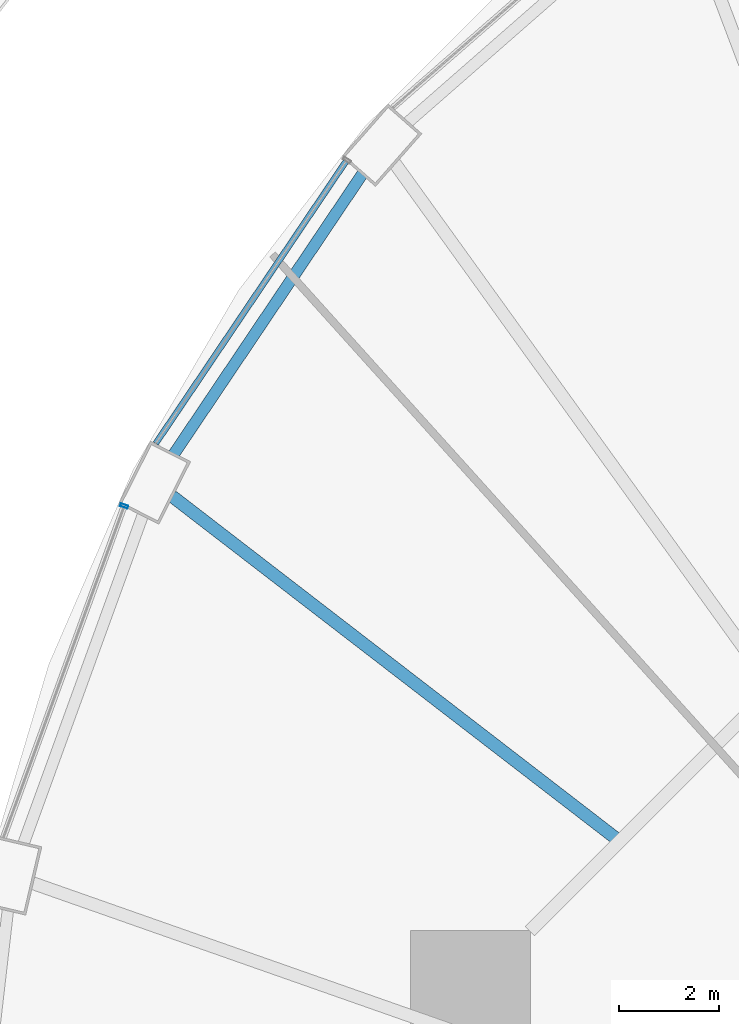
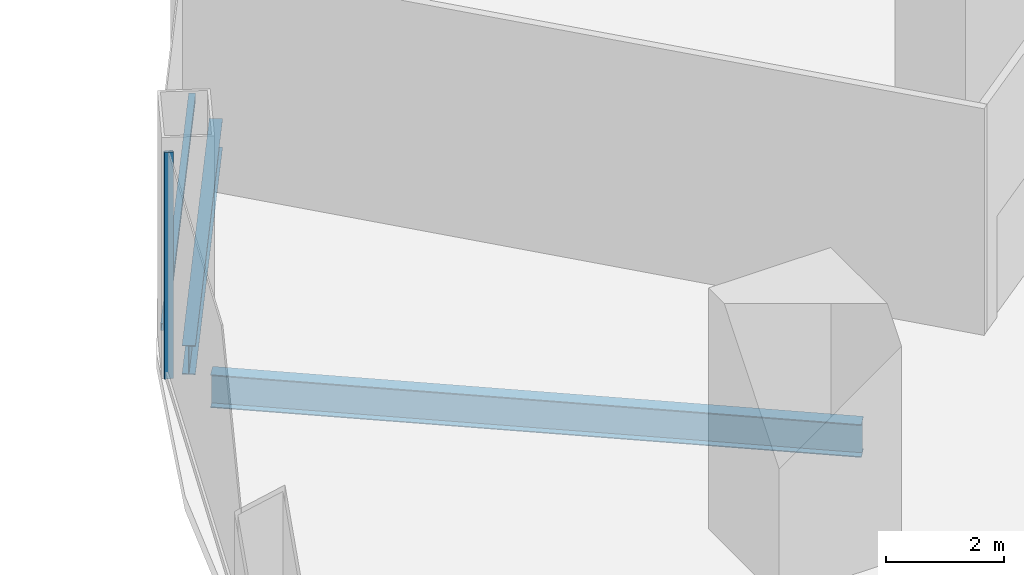
# One storey, part 21 of 47: 2 beams, 2 members, 2 elements without a shape of their own.
"""IFC4 building model written with IfcOpenShell, lengths in metres."""

from ifc_helpers import new_model, si_unit, direction, frame, origin, origin_2d, place, context, subcontext, project, spatial, hollow_rectangle, i_section, extrude, material, layer, layer_set, material_profile, profile_set, type_object, element, aggregate, save


model = new_model("IFC4")

# Units and contexts
model_context = context("Model", 3, precision=1e-05, world=origin(), true_north=direction((0.0, 1.0)))
body_context = subcontext(model_context, "Body", "Model", "MODEL_VIEW")
ifc_project = project(units=[si_unit("LENGTHUNIT", "METRE"), si_unit("AREAUNIT", "SQUARE_METRE"), si_unit("VOLUMEUNIT", "CUBIC_METRE"), si_unit("PLANEANGLEUNIT", "RADIAN"), si_unit("MASSUNIT", "GRAM", prefix="KILO")], contexts=[model_context])

# Site, building, storey
site_placement = place(None, origin())
site = spatial("IfcSite", under=ifc_project, at=site_placement, CompositionType="ELEMENT")
building_placement = place(site_placement, origin())
building = spatial("IfcBuilding", under=site, at=building_placement, Name="Nagisa Residences", CompositionType="ELEMENT")
storey_placement = place(building_placement, frame((0.0, 0.0, 17.0)))
storey = spatial("IfcBuildingStorey", under=building, at=storey_placement, Name="L03", CompositionType="ELEMENT", Elevation=17.0)

# Curtain wall, member
ifc_material_1 = material(Name="Stainless steel curtain wall system", Category="steel")
ifc_layer = layer(ifc_material_1, 0.159912109375)
ifc_layer_set = layer_set([ifc_layer], Name="CW6 CURTAIN WALL")
curtain_wall_type = type_object("IfcCurtainWallType", Name="CW6 CURTAIN WALL", PredefinedType="NOTDEFINED", material=ifc_layer_set)
curtain_wall_1_placement = place(storey_placement, origin())
curtain_wall_1 = element("IfcCurtainWall", 1, at=curtain_wall_1_placement, inside=storey, type_object=curtain_wall_type, Name="cw:CW6:L03:20", PredefinedType="NOTDEFINED")
ifc_material_2 = material(Name="Stainless steel", Category="steel")
ifc_material_profile_1 = material_profile(ifc_material_2, hollow_rectangle(XDim=0.159912109375, YDim=0.06005859375, WallThickness=0.006103515625, at=origin_2d()), Name="CW6 MULLION 160x60")
ifc_profile_set_1 = profile_set([ifc_material_profile_1], Name="Stainless steel")
member_type_1 = type_object("IfcMemberType", Name="CW6 MULLION 160x60", PredefinedType="MULLION", material=ifc_profile_set_1)
member_1_placement = place(storey_placement, frame((-21.689208984375, 15.78662109375, 0.0), z_axis=(0.0, 0.0, 1.0), x_axis=(0.939681861718, -0.342049702176, 0.0)))
member_1 = element("IfcMember", 2, at=member_1_placement, type_object=member_type_1, Name="CW6 mullion", PredefinedType="MULLION", context=body_context, shape_type="SweptSolid", body=[
    extrude(hollow_rectangle(XDim=0.159912109375, YDim=0.06005859375, WallThickness=0.006103515625, at=origin_2d()), origin(), (0.0, 0.0, 1.0), 4.699951171875),
])
aggregate(curtain_wall_1, [member_1])

curtain_wall_2_placement = place(storey_placement, origin())
curtain_wall_2 = element("IfcCurtainWall", 3, at=curtain_wall_2_placement, inside=storey, type_object=curtain_wall_type, Name="cw:CW6:L03:18", PredefinedType="NOTDEFINED")
ifc_material_3 = material(Name="Stainless steel", Category="steel")
ifc_material_profile_2 = material_profile(ifc_material_3, hollow_rectangle(XDim=0.1201171875, YDim=0.14990234375, WallThickness=0.008056640625, at=origin_2d()), Name="CW6 TRANSOM 120x150")
ifc_profile_set_2 = profile_set([ifc_material_profile_2], Name="Stainless steel")
member_type_2 = type_object("IfcMemberType", Name="CW6 TRANSOM 120x150", PredefinedType="USERDEFINED", material=ifc_profile_set_2)
member_2_placement = place(storey_placement, frame((-17.231201171875, 22.70947265625, 0.074951171875), z_axis=(-0.559080645991, -0.829113280124, 0.0), x_axis=(0.829113280124, -0.559080645991, 0.0)))
member_2 = element("IfcMember", 4, at=member_2_placement, type_object=member_type_2, Name="CW6 transom", ObjectType="TRANSOM", PredefinedType="USERDEFINED", context=body_context, shape_type="SweptSolid", body=[
    extrude(hollow_rectangle(XDim=0.1201171875, YDim=0.14990234375, WallThickness=0.008056640625, at=origin_2d()), origin(), (0.0, 0.0, 1.0), 6.84326171875),
])
aggregate(curtain_wall_2, [member_2])

# Beams
ifc_material_4 = material(Name="Steel ASTM A572 Gr 50", Category="steel")
ifc_material_profile_3 = material_profile(ifc_material_4, i_section(OverallWidth=0.22802734375, OverallDepth=0.60302734375, WebThickness=0.010498046875, FlangeThickness=0.014892578125, at=origin_2d()), Name="W610x101")
ifc_profile_set_3 = profile_set([ifc_material_profile_3], Name="Steel ASTM A572 Gr 50")
beam_type_1 = type_object("IfcBeamType", Name="Perimeter ring beam W610x101", PredefinedType="BEAM", material=ifc_profile_set_3)
beam_1_placement = place(storey_placement, frame((-16.935302734375, 22.411865234375, -0.6015625), z_axis=(-0.558296806041, -0.829641293792, 0.0), x_axis=(0.829641293792, -0.558296806041, 0.0)))
element("IfcBeam", 5, at=beam_1_placement, inside=storey, type_object=beam_type_1, Name="beam:L03:pb10", PredefinedType="BEAM", context=body_context, shape_type="SweptSolid", body=[
    extrude(i_section(OverallWidth=0.22802734375, OverallDepth=0.60302734375, WebThickness=0.010498046875, FlangeThickness=0.014892578125, at=origin_2d()), origin(), (0.0, 0.0, 1.0), 6.74169921875),
])
ifc_material_5 = material(Name="Steel ASTM A572 Gr 50", Category="steel")
ifc_material_profile_4 = material_profile(ifc_material_5, i_section(OverallWidth=0.25390625, OverallDepth=0.68408203125, WebThickness=0.012451171875, FlangeThickness=0.018798828125, at=origin_2d()), Name="W690x140")
ifc_profile_set_4 = profile_set([ifc_material_profile_4], Name="Steel ASTM A572 Gr 50")
beam_type_2 = type_object("IfcBeamType", Name="Radial beam W690x140", PredefinedType="BEAM", material=ifc_profile_set_4)
beam_2_placement = place(storey_placement, frame((-20.73486328125, 15.982666015625, -0.64208984375), z_axis=(0.792016146736, -0.610500141941, 0.0), x_axis=(0.610500141941, 0.792016146736, 0.0)))
element("IfcBeam", 6, at=beam_2_placement, inside=storey, type_object=beam_type_2, Name="beam:L03:rb11", PredefinedType="BEAM", context=body_context, shape_type="SweptSolid", body=[
    extrude(i_section(OverallWidth=0.25390625, OverallDepth=0.68408203125, WebThickness=0.012451171875, FlangeThickness=0.018798828125, at=origin_2d()), origin(), (0.0, 0.0, 1.0), 11.160888671875),
])

save(model, "model.ifc")
